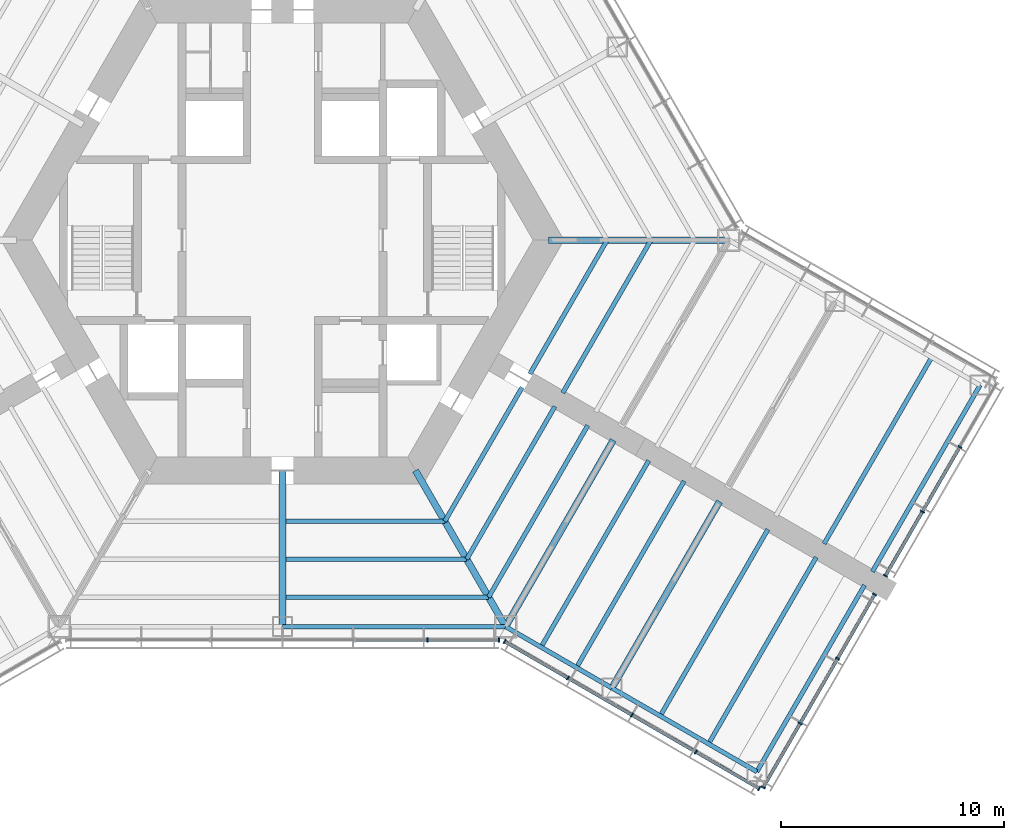
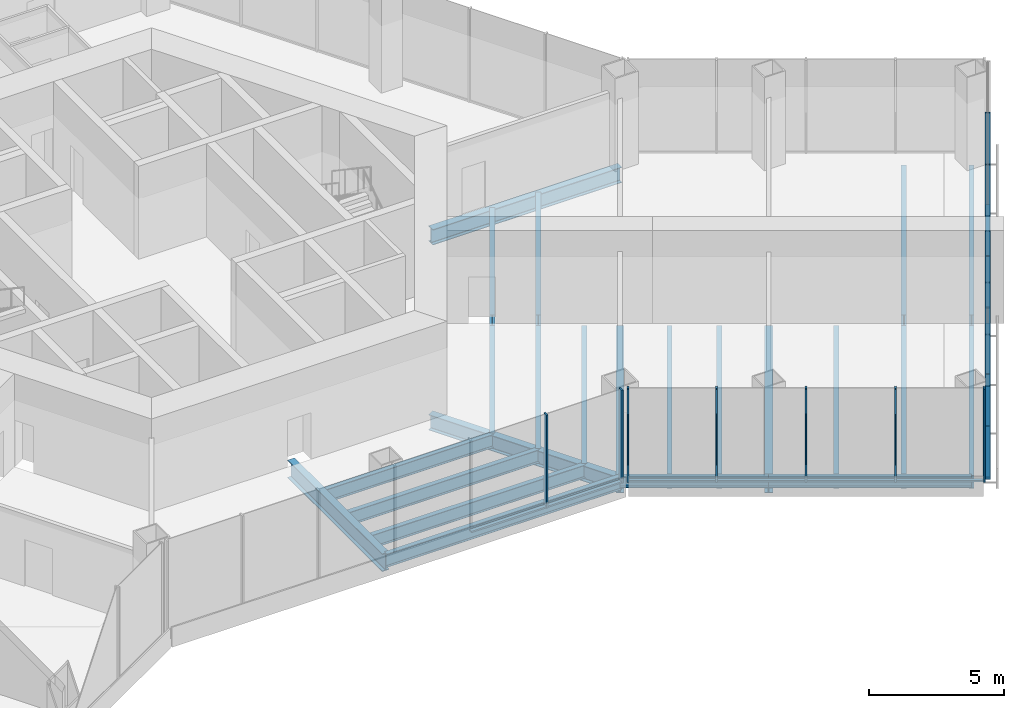
# One storey, part 4 of 15: 25 members, 23 beams, 4 elements without a shape of their own.
"""IFC4 building model written with IfcOpenShell, lengths in metres."""

import ifcopenshell
import ifcopenshell.guid

model = None  # the IFC model being written
_history = None  # IfcOwnerHistory: only IFC2X3 demands one
_inside = {}  # id of a spatial element -> (the spatial element, [elements in it])
_under = {}  # id of a project, library or spatial element -> (it, [spatial elements below it])
_declared = {}  # id of a project -> (the project, [libraries it declares])
_typed = {}  # id of a type object -> (the type object, [elements of that type])
_made_of = {}  # id of a material, layer set ... -> (it, [elements and type objects made of it])


def new_model(schema):
    """Start an empty IFC model of exactly this schema.

    Asked for "IFC4X3", IfcOpenShell would pick the latest addendum, in which some entities
    have other attributes; the version numbers below select the first issue.
    IFC2X3 requires an IfcOwnerHistory on every rooted entity: one is made here for all.
    """
    global model, _history
    if schema == "IFC4X3":
        model = ifcopenshell.file(schema_version=(4, 3, 0, 0))
    else:
        model = ifcopenshell.file(schema=schema)
    _inside.clear()
    _under.clear()
    _declared.clear()
    _typed.clear()
    _made_of.clear()
    _history = None
    if model.schema == "IFC2X3":
        org = make("IfcOrganization", Name="unknown")
        user = make(
            "IfcPersonAndOrganization",
            ThePerson=make("IfcPerson", FamilyName="unknown"),
            TheOrganization=org,
        )
        app = make(
            "IfcApplication",
            ApplicationDeveloper=org,
            Version="unknown",
            ApplicationFullName="unknown",
            ApplicationIdentifier="unknown",
        )
        _history = make(
            "IfcOwnerHistory",
            OwningUser=user,
            OwningApplication=app,
            ChangeAction="ADDED",
            CreationDate=0,
        )
    return model


def make(cls, **values):
    """One entity of the class cls with the attributes given. An attribute that is None is left unset."""
    return model.create_entity(
        cls, **{name: value for name, value in values.items() if value is not None}
    )


def rooted(cls, **values):
    """An entity with a GlobalId (a new one), such as an element, a storey or a relation."""
    return make(cls, GlobalId=ifcopenshell.guid.new(), OwnerHistory=_history, **values)


def si_unit(unit_type, name, prefix=None):
    """IfcSIUnit, for example si_unit("LENGTHUNIT", "METRE", prefix="MILLI")."""
    return make("IfcSIUnit", UnitType=unit_type, Prefix=prefix, Name=name)


def assignment(units):
    """IfcUnitAssignment: the units of a project."""
    return None if units is None else make("IfcUnitAssignment", Units=units)


def point(xyz):
    """IfcCartesianPoint."""
    return None if xyz is None else make("IfcCartesianPoint", Coordinates=xyz)


def direction(xyz):
    """IfcDirection."""
    return None if xyz is None else make("IfcDirection", DirectionRatios=xyz)


def frame(location, z_axis=None, x_axis=None):
    """IfcAxis2Placement3D, a coordinate frame: its origin and axes. An axis left out is left unset."""
    return make(
        "IfcAxis2Placement3D",
        Location=point(location),
        Axis=direction(z_axis),
        RefDirection=direction(x_axis),
    )


def frame_2d(location, x_axis=None):
    """IfcAxis2Placement2D, a coordinate frame in the plane: its origin and x axis."""
    return make(
        "IfcAxis2Placement2D", Location=point(location), RefDirection=direction(x_axis)
    )


def origin():
    """The frame at (0, 0, 0) with its axes left unset."""
    return frame((0.0, 0.0, 0.0))


def origin_2d():
    """The frame at (0, 0) in the plane with its x axis left unset."""
    return frame_2d((0.0, 0.0))


def place(relative_to, where):
    """IfcLocalPlacement: puts the frame where relative to a parent placement (None: the world)."""
    return make(
        "IfcLocalPlacement", PlacementRelTo=relative_to, RelativePlacement=where
    )


def context(
    kind, dimensions, precision=None, world=None, true_north=None, identifier=None
):
    """IfcGeometricRepresentationContext, for example the 3D "Model" context."""
    return make(
        "IfcGeometricRepresentationContext",
        ContextIdentifier=identifier,
        ContextType=kind,
        CoordinateSpaceDimension=dimensions,
        Precision=precision,
        WorldCoordinateSystem=world,
        TrueNorth=true_north,
    )


def subcontext(parent, identifier, kind, view, scale=None):
    """IfcGeometricRepresentationSubContext, for example "Body" below "Model"."""
    return make(
        "IfcGeometricRepresentationSubContext",
        ContextIdentifier=identifier,
        ContextType=kind,
        ParentContext=parent,
        TargetScale=scale,
        TargetView=view,
    )


def project(units=None, contexts=None):
    """IfcProject with its units and contexts."""
    return rooted(
        "IfcProject",
        Name="project",
        RepresentationContexts=contexts,
        UnitsInContext=assignment(units),
    )


def spatial(cls, under=None, at=None, **own):
    """A site, building, storey or space (cls), placed at a placement, below another one or the project."""
    s = rooted(cls, ObjectPlacement=at, **own)
    if under is not None:
        _under.setdefault(under.id(), (under, []))[1].append(s)
    return s


def profile(cls, at=None, kind="AREA", **sizes):
    """A parametric profile (cls). Its sizes go by their IFC names, for example OverallWidth=200.0."""
    return make(cls, ProfileType=kind, Position=at, **sizes)


def rectangle(**sizes):
    """IfcRectangleProfileDef."""
    return profile("IfcRectangleProfileDef", **sizes)


def i_section(**sizes):
    """IfcIShapeProfileDef."""
    return profile("IfcIShapeProfileDef", **sizes)


def extrude(swept, where, along, depth):
    """IfcExtrudedAreaSolid: the profile swept, set in the frame where, extruded along a direction by depth."""
    return make(
        "IfcExtrudedAreaSolid",
        SweptArea=swept,
        Position=where,
        ExtrudedDirection=direction(along),
        Depth=depth,
    )


def shape(context_of_items, identifier, shape_type, items):
    """IfcShapeRepresentation: the items that make up one representation, for example the "Body"."""
    return make(
        "IfcShapeRepresentation",
        ContextOfItems=context_of_items,
        RepresentationIdentifier=identifier,
        RepresentationType=shape_type,
        Items=items,
    )


def material(Name=None, Category=None):
    """IfcMaterial."""
    return make("IfcMaterial", Name=Name, Category=Category)


def material_profile(
    of_material, cross_section, Name=None, Category=None, Priority=None
):
    """IfcMaterialProfile: a cross section and its material."""
    return make(
        "IfcMaterialProfile",
        Name=Name,
        Material=of_material,
        Profile=cross_section,
        Priority=Priority,
        Category=Category,
    )


def profile_set(profiles, Name=None, composite=None):
    """IfcMaterialProfileSet."""
    return make(
        "IfcMaterialProfileSet",
        Name=Name,
        MaterialProfiles=profiles,
        CompositeProfile=composite,
    )


def made_of(thing, what):
    """Note that an element or type object is made of a material, layer set ...; save() writes the relation."""
    if what is not None:
        _made_of.setdefault(what.id(), (what, []))[1].append(thing)
    return thing


def type_object(cls, material=None, **own):
    """A type object (cls), such as IfcWallType, which elements share."""
    return made_of(rooted(cls, **own), material)


def element(
    cls,
    number,
    at=None,
    inside=None,
    cuts=None,
    type_object=None,
    material=None,
    context=None,
    identifier="Body",
    shape_type=None,
    held_by="IfcProductDefinitionShape",
    body=None,
    shapes=None,
    **own,
):
    """One element of the class cls, such as IfcWall. Its Tag is "e" and its number.

    at: its placement. inside: the storey or other place that contains it. cuts: it is an
    opening in that element (IfcRelVoidsElement). A single representation is given by context,
    identifier, shape_type and body (its items); several are given by shapes. held_by: the class
    of the entity that holds the representations. save() writes the other relations.
    """
    e = rooted(cls, Tag="e%d" % number, ObjectPlacement=at, **own)
    if body is not None:
        shapes = [shape(context, identifier, shape_type, body)]
    if shapes is not None:
        e.Representation = make(held_by, Representations=shapes)
    if inside is not None:
        _inside.setdefault(inside.id(), (inside, []))[1].append(e)
    if cuts is not None:
        rooted(
            "IfcRelVoidsElement", RelatingBuildingElement=cuts, RelatedOpeningElement=e
        )
    if type_object is not None:
        _typed.setdefault(type_object.id(), (type_object, []))[1].append(e)
    return made_of(e, material)


def aggregate(whole, parts):
    """IfcRelAggregates: a whole, such as a stair, and the parts it consists of."""
    return rooted("IfcRelAggregates", RelatingObject=whole, RelatedObjects=parts)


def save(model, path):
    """Write the relations noted so far, then the file.

    IfcRelAggregates (storeys below a building ...), IfcRelContainedInSpatialStructure (elements
    in a storey), IfcRelDefinesByType, IfcRelAssociatesMaterial and IfcRelDeclares: one each for
    every whole, place, type object, material and project.
    """
    for whole, parts in _under.values():
        aggregate(whole, parts)
    for where, things in _inside.values():
        rooted(
            "IfcRelContainedInSpatialStructure",
            RelatedElements=things,
            RelatingStructure=where,
        )
    for kind, things in _typed.values():
        rooted("IfcRelDefinesByType", RelatedObjects=things, RelatingType=kind)
    for what, things in _made_of.values():
        rooted("IfcRelAssociatesMaterial", RelatedObjects=things, RelatingMaterial=what)
    for by, libraries in _declared.values():
        rooted("IfcRelDeclares", RelatingContext=by, RelatedDefinitions=libraries)
    model.write(path)


model = new_model("IFC4")

# Units and contexts
model_context = context("Model", 3, precision=1e-05, world=origin(), true_north=direction((0.0, 1.0)))
body_context = subcontext(model_context, "Body", "Model", "MODEL_VIEW")
ifc_project = project(units=[si_unit("LENGTHUNIT", "METRE"), si_unit("AREAUNIT", "SQUARE_METRE"), si_unit("VOLUMEUNIT", "CUBIC_METRE"), si_unit("PLANEANGLEUNIT", "RADIAN"), si_unit("MASSUNIT", "GRAM", prefix="KILO")], contexts=[model_context])

# Site, building, storey
site_placement = place(None, origin())
site = spatial("IfcSite", under=ifc_project, at=site_placement, CompositionType="ELEMENT")
building_placement = place(site_placement, origin())
building = spatial("IfcBuilding", under=site, at=building_placement, Name="Kasaneha Research Tower", CompositionType="ELEMENT")
storey_placement = place(building_placement, frame((0.0, 0.0, 31.0)))
storey = spatial("IfcBuildingStorey", under=building, at=storey_placement, Name="L08", CompositionType="ELEMENT", Elevation=31.0)

# Beams
ifc_material_1 = material(Name="Steel SN490B", Category="steel")
ifc_material_profile_1 = material_profile(ifc_material_1, i_section(OverallWidth=0.199951171875, OverallDepth=0.60009765625, WebThickness=0.010986328125, FlangeThickness=0.01708984375, FilletRadius=0.012939453125, at=origin_2d()), Name="H-600x200x11x17")
ifc_profile_set_1 = profile_set([ifc_material_profile_1], Name="Steel SN490B")
beam_type_1 = type_object("IfcBeamType", Name="B1-2 secondary beam H-600x200x11x17", PredefinedType="JOIST", material=ifc_profile_set_1)
beam_1_placement = place(storey_placement, frame((7.274658203125, -12.60009765625, -0.469970703125), z_axis=(-1.0, 0.0, 0.0), x_axis=(0.0, -1.0, 0.0)))
element("IfcBeam", 1, at=beam_1_placement, inside=storey, type_object=beam_type_1, Name="Secondary beam RS270R1 L08", PredefinedType="JOIST", context=body_context, shape_type="SweptSolid", body=[
    extrude(i_section(OverallWidth=0.199951171875, OverallDepth=0.60009765625, WebThickness=0.010986328125, FlangeThickness=0.01708984375, FilletRadius=0.012939453125, at=origin_2d()), origin(), (0.0, 0.0, 1.0), 7.124755859375),
])
beam_2_placement = place(storey_placement, frame((8.256103515625, -14.300048828125, -0.469970703125), z_axis=(-1.0, 0.0, 0.0), x_axis=(0.0, -1.0, 0.0)))
element("IfcBeam", 2, at=beam_2_placement, inside=storey, type_object=beam_type_1, Name="Secondary beam RS270R2 L08", PredefinedType="JOIST", context=body_context, shape_type="SweptSolid", body=[
    extrude(i_section(OverallWidth=0.199951171875, OverallDepth=0.60009765625, WebThickness=0.010986328125, FlangeThickness=0.01708984375, FilletRadius=0.012939453125, at=origin_2d()), origin(), (0.0, 0.0, 1.0), 8.106201171875),
])
beam_3_placement = place(storey_placement, frame((9.237548828125, -16.0, -0.469970703125), z_axis=(-1.0, 0.0, 0.0), x_axis=(0.0, -1.0, 0.0)))
element("IfcBeam", 3, at=beam_3_placement, inside=storey, type_object=beam_type_1, Name="Secondary beam RS270R3 L08", PredefinedType="JOIST", context=body_context, shape_type="SweptSolid", body=[
    extrude(i_section(OverallWidth=0.199951171875, OverallDepth=0.60009765625, WebThickness=0.010986328125, FlangeThickness=0.01708984375, FilletRadius=0.012939453125, at=origin_2d()), origin(), (0.0, 0.0, 1.0), 9.087646484375),
])
beam_4_placement = place(storey_placement, frame((7.274658203125, -12.60009765625, -0.469970703125), z_axis=(0.499972710878, 0.866041158593, 0.0), x_axis=(-0.866041158593, 0.499972710878, 0.0)))
element("IfcBeam", 4, at=beam_4_placement, inside=storey, type_object=beam_type_1, Name="Secondary beam RS330L1 L08", PredefinedType="JOIST", context=body_context, shape_type="SweptSolid", body=[
    extrude(i_section(OverallWidth=0.199951171875, OverallDepth=0.60009765625, WebThickness=0.010986328125, FlangeThickness=0.01708984375, FilletRadius=0.012939453125, at=origin_2d()), origin(), (0.0, 0.0, 1.0), 6.9248046875),
])
beam_5_placement = place(storey_placement, frame((8.256103515625, -14.300048828125, -0.469970703125), z_axis=(0.500004902938, 0.866022573054, 0.0), x_axis=(-0.866022573054, 0.500004902938, 0.0)))
element("IfcBeam", 5, at=beam_5_placement, inside=storey, type_object=beam_type_1, Name="Secondary beam RS330L2 L08", PredefinedType="JOIST", context=body_context, shape_type="SweptSolid", body=[
    extrude(i_section(OverallWidth=0.199951171875, OverallDepth=0.60009765625, WebThickness=0.010986328125, FlangeThickness=0.01708984375, FilletRadius=0.012939453125, at=origin_2d()), origin(), (0.0, 0.0, 1.0), 7.90625),
])
beam_6_placement = place(storey_placement, frame((9.237548828125, -16.0, -0.469970703125), z_axis=(0.500009382636, 0.866019986649, 0.0), x_axis=(-0.866019986649, 0.500009382636, 0.0)))
element("IfcBeam", 6, at=beam_6_placement, inside=storey, type_object=beam_type_1, Name="Secondary beam RS330L3 L08", PredefinedType="JOIST", context=body_context, shape_type="SweptSolid", body=[
    extrude(i_section(OverallWidth=0.199951171875, OverallDepth=0.60009765625, WebThickness=0.010986328125, FlangeThickness=0.01708984375, FilletRadius=0.012939453125, at=origin_2d()), origin(), (0.0, 0.0, 1.0), 8.887451171875),
])
beam_7_placement = place(storey_placement, frame((14.54931640625, 0.0, -0.469970703125), z_axis=(-0.500014420154, -0.866017078145, 0.0), x_axis=(0.866017078145, -0.500014420154, 0.0)))
element("IfcBeam", 7, at=beam_7_placement, inside=storey, type_object=beam_type_1, Name="Secondary beam RS330R1 L08", PredefinedType="JOIST", context=body_context, shape_type="SweptSolid", body=[
    extrude(i_section(OverallWidth=0.199951171875, OverallDepth=0.60009765625, WebThickness=0.010986328125, FlangeThickness=0.01708984375, FilletRadius=0.012939453125, at=origin_2d()), origin(), (0.0, 0.0, 1.0), 6.924560546875),
])
beam_8_placement = place(storey_placement, frame((16.51220703125, 0.0, -0.469970703125), z_axis=(-0.500004902938, -0.866022573054, 0.0), x_axis=(0.866022573054, -0.500004902938, 0.0)))
element("IfcBeam", 8, at=beam_8_placement, inside=storey, type_object=beam_type_1, Name="Secondary beam RS330R2 L08", PredefinedType="JOIST", context=body_context, shape_type="SweptSolid", body=[
    extrude(i_section(OverallWidth=0.199951171875, OverallDepth=0.60009765625, WebThickness=0.010986328125, FlangeThickness=0.01708984375, FilletRadius=0.012939453125, at=origin_2d()), origin(), (0.0, 0.0, 1.0), 7.90625),
])
ifc_material_2 = material(Name="Steel SN490B", Category="steel")
ifc_material_profile_2 = material_profile(ifc_material_2, i_section(OverallWidth=0.198974609375, OverallDepth=0.595947265625, WebThickness=0.010009765625, FlangeThickness=0.014892578125, FilletRadius=0.012939453125, at=origin_2d()), Name="H-596x199x10x15")
ifc_profile_set_2 = profile_set([ifc_material_profile_2], Name="Steel SN490B")
beam_type_2 = type_object("IfcBeamType", Name="B2-2 secondary beam H-596x199x10x15", PredefinedType="JOIST", material=ifc_profile_set_2)
for number, where, z_axis, x_axis, name in (
    (9, (11.587646484375, -18.237060546875, -0.468017578125), (0.50000569793, 0.866022114058, 0.0), (-0.866022114058, 0.50000569793, 0.0), "Secondary beam WBCP1 L08"),
    (10, (13.175537109375, -19.15380859375, -0.468017578125), (0.499994742786, 0.866028439017, 0.0), (-0.866028439017, 0.499994742786, 0.0), "Secondary beam WBCP2 L08"),
    (11, (16.92822265625, -21.320556640625, -0.468017578125), (0.499994742786, 0.866028439017, 0.0), (-0.866028439017, 0.499994742786, 0.0), "Secondary beam WBCP3 L08"),
    (12, (19.09326171875, -22.570556640625, -0.468017578125), (0.499994742786, 0.866028439017, 0.0), (-0.866028439017, 0.499994742786, 0.0), "Secondary beam WBCP4 L08"),
    (13, (29.09326171875, -5.25, -0.468017578125), (-0.499994742786, -0.866028439017, 0.0), (0.866028439017, -0.499994742786, 0.0), "Secondary beam WBCN4 L08"),
):
    element("IfcBeam", number, at=place(storey_placement, frame(where, z_axis=z_axis, x_axis=x_axis)), inside=storey, type_object=beam_type_2, Name=name, PredefinedType="JOIST", context=body_context, shape_type="SweptSolid", body=[
        extrude(i_section(OverallWidth=0.198974609375, OverallDepth=0.595947265625, WebThickness=0.010009765625, FlangeThickness=0.014892578125, FilletRadius=0.012939453125, at=origin_2d()), origin(), (0.0, 0.0, 1.0), 9.64990234375),
    ])

# Curtain wall, members
ifc_material_3 = material(Name="Glass and aluminium", Category="aluminium")
curtain_wall_type = type_object("IfcCurtainWallType", Name="Dry laboratory curtain wall", PredefinedType="USERDEFINED", material=ifc_material_3)
curtain_wall_1_placement = place(storey_placement, origin())
curtain_wall_1 = element("IfcCurtainWall", 14, at=curtain_wall_1_placement, inside=storey, type_object=curtain_wall_type, Name="CW-L2 L08 run 02a", ObjectType="UNITISED CURTAIN WALL", PredefinedType="USERDEFINED")
ifc_material_4 = material(Name="Aluminium 6063-T6", Category="aluminium")
ifc_material_profile_3 = material_profile(ifc_material_4, rectangle(XDim=0.06494140625, YDim=0.199951171875, at=origin_2d()), Name="CW-L2 mullion 65x200")
ifc_profile_set_3 = profile_set([ifc_material_profile_3], Name="Aluminium 6063-T6")
member_type_1 = type_object("IfcMemberType", Name="CW-L2 mullion", PredefinedType="MULLION", material=ifc_profile_set_3)
member_1_placement = place(storey_placement, frame((6.492919921875, -17.92041015625, 0.0), z_axis=(0.0, 0.0, 1.0), x_axis=(1.0, 0.0, 0.0)))
member_1 = element("IfcMember", 15, at=member_1_placement, type_object=member_type_1, Name="CW-L2 mullion 6", PredefinedType="MULLION", context=body_context, shape_type="SweptSolid", body=[
    extrude(rectangle(XDim=0.06494140625, YDim=0.199951171875, at=origin_2d()), origin(), (0.0, 0.0, 1.0), 4.199951171875),
])
member_2_placement = place(storey_placement, frame((9.706787109375, -17.92041015625, 0.0), z_axis=(0.0, 0.0, 1.0), x_axis=(1.0, 0.0, 0.0)))
member_2 = element("IfcMember", 16, at=member_2_placement, type_object=member_type_1, Name="CW-L2 mullion 7", PredefinedType="MULLION", context=body_context, shape_type="SweptSolid", body=[
    extrude(rectangle(XDim=0.06494140625, YDim=0.199951171875, at=origin_2d()), origin(), (0.0, 0.0, 1.0), 4.199951171875),
])

curtain_wall_2_placement = place(storey_placement, origin())
curtain_wall_2 = element("IfcCurtainWall", 17, at=curtain_wall_2_placement, inside=storey, type_object=curtain_wall_type, Name="CW-L2 L08 run 03a", ObjectType="UNITISED CURTAIN WALL", PredefinedType="USERDEFINED")
member_3_placement = place(storey_placement, frame((9.953857421875, -17.98681640625, 0.0), z_axis=(0.0, 0.0, 1.0), x_axis=(0.866025411464, -0.499999986699, 0.0)))
member_3 = element("IfcMember", 18, at=member_3_placement, type_object=member_type_1, Name="CW-L2 mullion 1", PredefinedType="MULLION", context=body_context, shape_type="SweptSolid", body=[
    extrude(rectangle(XDim=0.06494140625, YDim=0.199951171875, at=origin_2d()), origin(), (0.0, 0.0, 1.0), 4.199951171875),
])
member_4_placement = place(storey_placement, frame((12.792236328125, -19.62548828125, 0.0), z_axis=(0.0, 0.0, 1.0), x_axis=(0.866025411464, -0.499999986699, 0.0)))
member_4 = element("IfcMember", 19, at=member_4_placement, type_object=member_type_1, Name="CW-L2 mullion 2", PredefinedType="MULLION", context=body_context, shape_type="SweptSolid", body=[
    extrude(rectangle(XDim=0.06494140625, YDim=0.199951171875, at=origin_2d()), origin(), (0.0, 0.0, 1.0), 4.199951171875),
])
member_5_placement = place(storey_placement, frame((15.65869140625, -21.2802734375, 0.0), z_axis=(0.0, 0.0, 1.0), x_axis=(0.866025411464, -0.499999986699, 0.0)))
member_5 = element("IfcMember", 20, at=member_5_placement, type_object=member_type_1, Name="CW-L2 mullion 3", PredefinedType="MULLION", context=body_context, shape_type="SweptSolid", body=[
    extrude(rectangle(XDim=0.06494140625, YDim=0.199951171875, at=origin_2d()), origin(), (0.0, 0.0, 1.0), 4.199951171875),
])
member_6_placement = place(storey_placement, frame((18.52490234375, -22.935302734375, 0.0), z_axis=(0.0, 0.0, 1.0), x_axis=(0.866025411464, -0.499999986699, 0.0)))
member_6 = element("IfcMember", 21, at=member_6_placement, type_object=member_type_1, Name="CW-L2 mullion 4", PredefinedType="MULLION", context=body_context, shape_type="SweptSolid", body=[
    extrude(rectangle(XDim=0.06494140625, YDim=0.199951171875, at=origin_2d()), origin(), (0.0, 0.0, 1.0), 4.199951171875),
])
member_7_placement = place(storey_placement, frame((21.36328125, -24.573974609375, 0.0), z_axis=(0.0, 0.0, 1.0), x_axis=(0.866025411464, -0.499999986699, 0.0)))
member_7 = element("IfcMember", 22, at=member_7_placement, type_object=member_type_1, Name="CW-L2 mullion 5", PredefinedType="MULLION", context=body_context, shape_type="SweptSolid", body=[
    extrude(rectangle(XDim=0.06494140625, YDim=0.199951171875, at=origin_2d()), origin(), (0.0, 0.0, 1.0), 4.199951171875),
])

curtain_wall_3_placement = place(storey_placement, origin())
curtain_wall_3 = element("IfcCurtainWall", 23, at=curtain_wall_3_placement, inside=storey, type_object=curtain_wall_type, Name="CW-L2 L08 run 04a", ObjectType="UNITISED CURTAIN WALL", PredefinedType="USERDEFINED")
member_8_placement = place(storey_placement, frame((21.544189453125, -24.525390625, 0.0), z_axis=(0.0, 0.0, 1.0), x_axis=(0.500000011442, 0.866025397178, 0.0)))
member_8 = element("IfcMember", 24, at=member_8_placement, type_object=member_type_1, Name="CW-L2 mullion 1", PredefinedType="MULLION", context=body_context, shape_type="SweptSolid", body=[
    extrude(rectangle(XDim=0.06494140625, YDim=0.199951171875, at=origin_2d()), origin(), (0.0, 0.0, 1.0), 4.199951171875),
])
member_9_placement = place(storey_placement, frame((23.202880859375, -21.65234375, 0.0), z_axis=(0.0, 0.0, 1.0), x_axis=(0.500000011442, 0.866025397178, 0.0)))
member_9 = element("IfcMember", 25, at=member_9_placement, type_object=member_type_1, Name="CW-L2 mullion 2", PredefinedType="MULLION", context=body_context, shape_type="SweptSolid", body=[
    extrude(rectangle(XDim=0.06494140625, YDim=0.199951171875, at=origin_2d()), origin(), (0.0, 0.0, 1.0), 4.199951171875),
])
member_10_placement = place(storey_placement, frame((24.8779296875, -18.751220703125, 0.0), z_axis=(0.0, 0.0, 1.0), x_axis=(0.500000011442, 0.866025397178, 0.0)))
member_10 = element("IfcMember", 26, at=member_10_placement, type_object=member_type_1, Name="CW-L2 mullion 3", PredefinedType="MULLION", context=body_context, shape_type="SweptSolid", body=[
    extrude(rectangle(XDim=0.06494140625, YDim=0.199951171875, at=origin_2d()), origin(), (0.0, 0.0, 1.0), 4.199951171875),
])
member_11_placement = place(storey_placement, frame((26.53662109375, -15.878173828125, 0.0), z_axis=(0.0, 0.0, 1.0), x_axis=(0.500000011442, 0.866025397178, 0.0)))
member_11 = element("IfcMember", 27, at=member_11_placement, type_object=member_type_1, Name="CW-L2 mullion 4", PredefinedType="MULLION", context=body_context, shape_type="SweptSolid", body=[
    extrude(rectangle(XDim=0.06494140625, YDim=0.199951171875, at=origin_2d()), origin(), (0.0, 0.0, 1.0), 4.199951171875),
])

curtain_wall_4_placement = place(storey_placement, origin())
curtain_wall_4 = element("IfcCurtainWall", 28, at=curtain_wall_4_placement, inside=storey, type_object=curtain_wall_type, Name="CW-L2 L08 run 05a", ObjectType="UNITISED CURTAIN WALL", PredefinedType="USERDEFINED")
member_12_placement = place(storey_placement, frame((27.019287109375, -15.04248046875, 0.0), z_axis=(0.0, 0.0, 1.0), x_axis=(0.500000011442, 0.866025397178, 0.0)))
member_12 = element("IfcMember", 29, at=member_12_placement, type_object=member_type_1, Name="CW-L2 mullion 1", PredefinedType="MULLION", context=body_context, shape_type="SweptSolid", body=[
    extrude(rectangle(XDim=0.06494140625, YDim=0.199951171875, at=origin_2d()), origin(), (0.0, 0.0, 1.0), 4.199951171875),
])
member_13_placement = place(storey_placement, frame((28.677978515625, -12.16943359375, 0.0), z_axis=(0.0, 0.0, 1.0), x_axis=(0.500000011442, 0.866025397178, 0.0)))
member_13 = element("IfcMember", 30, at=member_13_placement, type_object=member_type_1, Name="CW-L2 mullion 2", PredefinedType="MULLION", context=body_context, shape_type="SweptSolid", body=[
    extrude(rectangle(XDim=0.06494140625, YDim=0.199951171875, at=origin_2d()), origin(), (0.0, 0.0, 1.0), 4.199951171875),
])
member_14_placement = place(storey_placement, frame((30.35302734375, -9.26806640625, 0.0), z_axis=(0.0, 0.0, 1.0), x_axis=(0.500000011442, 0.866025397178, 0.0)))
member_14 = element("IfcMember", 31, at=member_14_placement, type_object=member_type_1, Name="CW-L2 mullion 3", PredefinedType="MULLION", context=body_context, shape_type="SweptSolid", body=[
    extrude(rectangle(XDim=0.06494140625, YDim=0.199951171875, at=origin_2d()), origin(), (0.0, 0.0, 1.0), 4.199951171875),
])

# Member
ifc_material_5 = material(Name="Aluminium 6063-T6", Category="aluminium")
ifc_material_profile_4 = material_profile(ifc_material_5, rectangle(XDim=0.14990234375, YDim=0.06494140625, at=origin_2d()), Name="CW-L2 transom 150x65")
ifc_profile_set_4 = profile_set([ifc_material_profile_4], Name="Aluminium 6063-T6")
member_type_2 = type_object("IfcMemberType", Name="CW-L2 transom", PredefinedType="USERDEFINED", material=ifc_profile_set_4)
member_15_placement = place(storey_placement, frame((3.27880859375, -17.92041015625, 0.032470703125), z_axis=(1.0, 0.0, 0.0), x_axis=(0.0, 1.0, 0.0)))
member_15 = element("IfcMember", 32, at=member_15_placement, type_object=member_type_2, Name="CW-L2 transom 5", ObjectType="TRANSOM", PredefinedType="USERDEFINED", context=body_context, shape_type="SweptSolid", body=[
    extrude(rectangle(XDim=0.14990234375, YDim=0.06494140625, at=origin_2d()), origin(), (0.0, 0.0, 1.0), 3.181396484375),
])

member_16_placement = place(storey_placement, frame((6.525390625, -17.92041015625, 0.032470703125), z_axis=(1.0, 0.0, 0.0), x_axis=(0.0, 1.0, 0.0)))
member_16 = element("IfcMember", 33, at=member_16_placement, type_object=member_type_2, Name="CW-L2 transom 6", ObjectType="TRANSOM", PredefinedType="USERDEFINED", context=body_context, shape_type="SweptSolid", body=[
    extrude(rectangle(XDim=0.14990234375, YDim=0.06494140625, at=origin_2d()), origin(), (0.0, 0.0, 1.0), 3.14892578125),
])

aggregate(curtain_wall_1, [member_1, member_2, member_15, member_16])

member_17_placement = place(storey_placement, frame((9.982177734375, -18.0029296875, 0.032470703125), z_axis=(0.866022320763, -0.500005339912, 0.0), x_axis=(0.500005339912, 0.866022320763, 0.0)))
member_17 = element("IfcMember", 34, at=member_17_placement, type_object=member_type_2, Name="CW-L2 transom 1", ObjectType="TRANSOM", PredefinedType="USERDEFINED", context=body_context, shape_type="SweptSolid", body=[
    extrude(rectangle(XDim=0.14990234375, YDim=0.06494140625, at=origin_2d()), origin(), (0.0, 0.0, 1.0), 3.21240234375),
])

member_18_placement = place(storey_placement, frame((12.8203125, -19.6416015625, 0.032470703125), z_axis=(0.866002649306, -0.500039409842, 0.0), x_axis=(0.500039409842, 0.866002649306, 0.0)))
member_18 = element("IfcMember", 35, at=member_18_placement, type_object=member_type_2, Name="CW-L2 transom 2", ObjectType="TRANSOM", PredefinedType="USERDEFINED", context=body_context, shape_type="SweptSolid", body=[
    extrude(rectangle(XDim=0.14990234375, YDim=0.06494140625, at=origin_2d()), origin(), (0.0, 0.0, 1.0), 3.244873046875),
])

member_19_placement = place(storey_placement, frame((15.686767578125, -21.296630859375, 0.032470703125), z_axis=(0.866035229914, -0.499982980259, 0.0), x_axis=(0.499982980259, 0.866035229914, 0.0)))
member_19 = element("IfcMember", 36, at=member_19_placement, type_object=member_type_2, Name="CW-L2 transom 3", ObjectType="TRANSOM", PredefinedType="USERDEFINED", context=body_context, shape_type="SweptSolid", body=[
    extrude(rectangle(XDim=0.14990234375, YDim=0.06494140625, at=origin_2d()), origin(), (0.0, 0.0, 1.0), 3.24462890625),
])

member_20_placement = place(storey_placement, frame((18.55322265625, -22.951416015625, 0.032470703125), z_axis=(0.86600331843, -0.500038251005, 0.0), x_axis=(0.500038251005, 0.86600331843, 0.0)))
member_20 = element("IfcMember", 37, at=member_20_placement, type_object=member_type_2, Name="CW-L2 transom 4", ObjectType="TRANSOM", PredefinedType="USERDEFINED", context=body_context, shape_type="SweptSolid", body=[
    extrude(rectangle(XDim=0.14990234375, YDim=0.06494140625, at=origin_2d()), origin(), (0.0, 0.0, 1.0), 3.212158203125),
])

aggregate(curtain_wall_2, [member_3, member_4, member_5, member_6, member_7, member_17, member_18, member_19, member_20])

member_21_placement = place(storey_placement, frame((21.560546875, -24.497314453125, 0.032470703125), z_axis=(0.499973687205, 0.866040594951, 0.0), x_axis=(-0.866040594951, 0.499973687205, 0.0)))
member_21 = element("IfcMember", 38, at=member_21_placement, type_object=member_type_2, Name="CW-L2 transom 1", ObjectType="TRANSOM", PredefinedType="USERDEFINED", context=body_context, shape_type="SweptSolid", body=[
    extrude(rectangle(XDim=0.14990234375, YDim=0.06494140625, at=origin_2d()), origin(), (0.0, 0.0, 1.0), 3.252685546875),
])

member_22_placement = place(storey_placement, frame((23.21923828125, -21.624267578125, 0.032470703125), z_axis=(0.50000765355, 0.86602098496, 0.0), x_axis=(-0.86602098496, 0.50000765355, 0.0)))
member_22 = element("IfcMember", 39, at=member_22_placement, type_object=member_type_2, Name="CW-L2 transom 2", ObjectType="TRANSOM", PredefinedType="USERDEFINED", context=body_context, shape_type="SweptSolid", body=[
    extrude(rectangle(XDim=0.14990234375, YDim=0.06494140625, at=origin_2d()), origin(), (0.0, 0.0, 1.0), 3.28515625),
])

member_23_placement = place(storey_placement, frame((24.894287109375, -18.722900390625, 0.032470703125), z_axis=(0.500006189695, 0.866021830133, 0.0), x_axis=(-0.866021830133, 0.500006189695, 0.0)))
member_23 = element("IfcMember", 40, at=member_23_placement, type_object=member_type_2, Name="CW-L2 transom 3", ObjectType="TRANSOM", PredefinedType="USERDEFINED", context=body_context, shape_type="SweptSolid", body=[
    extrude(rectangle(XDim=0.14990234375, YDim=0.06494140625, at=origin_2d()), origin(), (0.0, 0.0, 1.0), 3.25244140625),
])

aggregate(curtain_wall_3, [member_8, member_9, member_10, member_11, member_21, member_22, member_23])

member_24_placement = place(storey_placement, frame((27.035400390625, -15.01416015625, 0.032470703125), z_axis=(0.500006189695, 0.866021830133, 0.0), x_axis=(-0.866021830133, 0.500006189695, 0.0)))
member_24 = element("IfcMember", 41, at=member_24_placement, type_object=member_type_2, Name="CW-L2 transom 1", ObjectType="TRANSOM", PredefinedType="USERDEFINED", context=body_context, shape_type="SweptSolid", body=[
    extrude(rectangle(XDim=0.14990234375, YDim=0.06494140625, at=origin_2d()), origin(), (0.0, 0.0, 1.0), 3.25244140625),
])

member_25_placement = place(storey_placement, frame((28.694091796875, -12.14111328125, 0.032470703125), z_axis=(0.500039835994, 0.866002403241, 0.0), x_axis=(-0.866002403241, 0.500039835994, 0.0)))
member_25 = element("IfcMember", 42, at=member_25_placement, type_object=member_type_2, Name="CW-L2 transom 2", ObjectType="TRANSOM", PredefinedType="USERDEFINED", context=body_context, shape_type="SweptSolid", body=[
    extrude(rectangle(XDim=0.14990234375, YDim=0.06494140625, at=origin_2d()), origin(), (0.0, 0.0, 1.0), 3.284912109375),
])

aggregate(curtain_wall_4, [member_12, member_13, member_14, member_24, member_25])

# Beams
ifc_material_6 = material(Name="Steel SN490B", Category="steel")
ifc_material_profile_5 = material_profile(ifc_material_6, i_section(OverallWidth=0.300048828125, OverallDepth=0.699951171875, WebThickness=0.012939453125, FlangeThickness=0.02392578125, FilletRadius=0.01806640625, at=origin_2d()), Name="H-700x300x13x24")
ifc_profile_set_5 = profile_set([ifc_material_profile_5], Name="Steel SN490B")
beam_type_3 = type_object("IfcBeamType", Name="G1-2 radial girder H-700x300x13x24", PredefinedType="BEAM", material=ifc_profile_set_5)
beam_9_placement = place(storey_placement, frame((11.92236328125, 0.0, -0.52001953125), z_axis=(1.0, 0.0, 0.0), x_axis=(0.0, 1.0, 0.0)))
element("IfcBeam", 43, at=beam_9_placement, inside=storey, type_object=beam_type_3, Name="Radial girder RV000 L08", PredefinedType="BEAM", context=body_context, shape_type="SweptSolid", body=[
    extrude(i_section(OverallWidth=0.300048828125, OverallDepth=0.699951171875, WebThickness=0.012939453125, FlangeThickness=0.02392578125, FilletRadius=0.01806640625, at=origin_2d()), origin(), (0.0, 0.0, 1.0), 8.07763671875),
])
beam_10_placement = place(storey_placement, frame((5.961181640625, -10.324951171875, -0.52001953125), z_axis=(0.49999105496, -0.866030568144, 0.0), x_axis=(0.866030568144, 0.49999105496, 0.0)))
element("IfcBeam", 44, at=beam_10_placement, inside=storey, type_object=beam_type_3, Name="Radial girder RV300 L08", PredefinedType="BEAM", context=body_context, shape_type="SweptSolid", body=[
    extrude(i_section(OverallWidth=0.300048828125, OverallDepth=0.699951171875, WebThickness=0.012939453125, FlangeThickness=0.02392578125, FilletRadius=0.01806640625, at=origin_2d()), origin(), (0.0, 0.0, 1.0), 8.077880859375),
])
ifc_material_7 = material(Name="Steel SN490B", Category="steel")
ifc_material_profile_6 = material_profile(ifc_material_7, i_section(OverallWidth=0.300048828125, OverallDepth=0.800048828125, WebThickness=0.013916015625, FlangeThickness=0.02587890625, FilletRadius=0.01806640625, at=origin_2d()), Name="H-800x300x14x26")
ifc_profile_set_6 = profile_set([ifc_material_profile_6], Name="Steel SN490B")
beam_type_4 = type_object("IfcBeamType", Name="G2-2 radial girder H-800x300x14x26", PredefinedType="BEAM", material=ifc_profile_set_6)
beam_11_placement = place(storey_placement, frame((0.0, -10.324951171875, -0.570068359375), z_axis=(0.0, -1.0, 0.0), x_axis=(1.0, 0.0, 0.0)))
element("IfcBeam", 45, at=beam_11_placement, inside=storey, type_object=beam_type_4, Name="Radial girder RM270 L08", PredefinedType="BEAM", context=body_context, shape_type="SweptSolid", body=[
    extrude(i_section(OverallWidth=0.300048828125, OverallDepth=0.800048828125, WebThickness=0.013916015625, FlangeThickness=0.02587890625, FilletRadius=0.01806640625, at=origin_2d()), origin(), (0.0, 0.0, 1.0), 6.99560546875),
])
ifc_material_8 = material(Name="Steel SN490B", Category="steel")
ifc_material_profile_7 = material_profile(ifc_material_8, i_section(OverallWidth=0.300048828125, OverallDepth=0.7919921875, WebThickness=0.013916015625, FlangeThickness=0.02197265625, FilletRadius=0.01806640625, at=origin_2d()), Name="H-792x300x14x22")
ifc_profile_set_7 = profile_set([ifc_material_profile_7], Name="Steel SN490B")
beam_type_5 = type_object("IfcBeamType", Name="G3-2 plate edge girder H-792x300x14x22", PredefinedType="BEAM", material=ifc_profile_set_7)
beam_12_placement = place(storey_placement, frame((10.0, -17.320556640625, -0.56591796875), z_axis=(0.499994742786, 0.866028439017, 0.0), x_axis=(-0.866028439017, 0.499994742786, 0.0)))
element("IfcBeam", 46, at=beam_12_placement, inside=storey, type_object=beam_type_5, Name="Plate edge girder PECP L08", PredefinedType="BEAM", context=body_context, shape_type="SweptSolid", body=[
    extrude(i_section(OverallWidth=0.300048828125, OverallDepth=0.7919921875, WebThickness=0.013916015625, FlangeThickness=0.02197265625, FilletRadius=0.01806640625, at=origin_2d()), origin(), (0.0, 0.0, 1.0), 9.64990234375),
])
ifc_material_9 = material(Name="Steel SN490B", Category="steel")
ifc_material_profile_8 = material_profile(ifc_material_9, i_section(OverallWidth=0.300048828125, OverallDepth=0.800048828125, WebThickness=0.013916015625, FlangeThickness=0.02587890625, FilletRadius=0.01806640625, at=origin_2d()), Name="H-800x300x14x26")
ifc_profile_set_8 = profile_set([ifc_material_profile_8], Name="Steel SN490B")
beam_type_6 = type_object("IfcBeamType", Name="G4-2 wing girder H-800x300x14x26", PredefinedType="BEAM", material=ifc_profile_set_8)
beam_13_placement = place(storey_placement, frame((14.76318359375, -20.070556640625, -0.570068359375), z_axis=(0.499994742786, 0.866028439017, 0.0), x_axis=(-0.866028439017, 0.499994742786, 0.0)))
element("IfcBeam", 47, at=beam_13_placement, inside=storey, type_object=beam_type_6, Name="Wing girder WGCP L08", PredefinedType="BEAM", context=body_context, shape_type="SweptSolid", body=[
    extrude(i_section(OverallWidth=0.300048828125, OverallDepth=0.800048828125, WebThickness=0.013916015625, FlangeThickness=0.02587890625, FilletRadius=0.01806640625, at=origin_2d()), origin(), (0.0, 0.0, 1.0), 9.64990234375),
])
ifc_material_10 = material(Name="Steel SN490B", Category="steel")
ifc_material_profile_9 = material_profile(ifc_material_10, i_section(OverallWidth=0.199951171875, OverallDepth=0.60009765625, WebThickness=0.010986328125, FlangeThickness=0.01708984375, FilletRadius=0.012939453125, at=origin_2d()), Name="H-600x200x11x17")
ifc_profile_set_9 = profile_set([ifc_material_profile_9], Name="Steel SN490B")
beam_type_7 = type_object("IfcBeamType", Name="SB1-2 spandrel beam H-600x200x11x17", PredefinedType="SPANDREL", material=ifc_profile_set_9)
beam_14_placement = place(storey_placement, frame((10.0, -17.320556640625, -0.469970703125), z_axis=(-1.0, 0.0, 0.0), x_axis=(0.0, -1.0, 0.0)))
element("IfcBeam", 48, at=beam_14_placement, inside=storey, type_object=beam_type_7, Name="Spandrel beam SR270R L08", PredefinedType="SPANDREL", context=body_context, shape_type="SweptSolid", body=[
    extrude(i_section(OverallWidth=0.199951171875, OverallDepth=0.60009765625, WebThickness=0.010986328125, FlangeThickness=0.01708984375, FilletRadius=0.012939453125, at=origin_2d()), origin(), (0.0, 0.0, 1.0), 10.0),
])
ifc_material_11 = material(Name="Steel SN490B", Category="steel")
ifc_material_profile_10 = material_profile(ifc_material_11, i_section(OverallWidth=0.199951171875, OverallDepth=0.5, WebThickness=0.010009765625, FlangeThickness=0.01611328125, FilletRadius=0.012939453125, at=origin_2d()), Name="H-500x200x10x16")
ifc_profile_set_10 = profile_set([ifc_material_profile_10], Name="Steel SN490B")
beam_type_8 = type_object("IfcBeamType", Name="SB2-2 spandrel beam H-500x200x10x16", PredefinedType="SPANDREL", material=ifc_profile_set_10)
beam_15_placement = place(storey_placement, frame((10.0, -17.320556640625, -0.419921875), z_axis=(0.866027397988, -0.499996545922, 0.0), x_axis=(0.499996545922, 0.866027397988, 0.0)))
element("IfcBeam", 49, at=beam_15_placement, inside=storey, type_object=beam_type_8, Name="Spandrel beam WSCP1 L08", PredefinedType="SPANDREL", context=body_context, shape_type="SweptSolid", body=[
    extrude(i_section(OverallWidth=0.199951171875, OverallDepth=0.5, WebThickness=0.010009765625, FlangeThickness=0.01611328125, FilletRadius=0.012939453125, at=origin_2d()), origin(), (0.0, 0.0, 1.0), 5.5),
])
beam_16_placement = place(storey_placement, frame((14.76318359375, -20.070556640625, -0.419921875), z_axis=(0.866022959057, -0.500004234368, 0.0), x_axis=(0.500004234368, 0.866022959057, 0.0)))
element("IfcBeam", 50, at=beam_16_placement, inside=storey, type_object=beam_type_8, Name="Spandrel beam WSCP2 L08", PredefinedType="SPANDREL", context=body_context, shape_type="SweptSolid", body=[
    extrude(i_section(OverallWidth=0.199951171875, OverallDepth=0.5, WebThickness=0.010009765625, FlangeThickness=0.01611328125, FilletRadius=0.012939453125, at=origin_2d()), origin(), (0.0, 0.0, 1.0), 7.5),
])
ifc_material_12 = material(Name="Steel SN490B", Category="steel")
ifc_material_profile_11 = material_profile(ifc_material_12, i_section(OverallWidth=0.199951171875, OverallDepth=0.60009765625, WebThickness=0.010986328125, FlangeThickness=0.01708984375, FilletRadius=0.012939453125, at=origin_2d()), Name="H-600x200x11x17")
ifc_profile_set_11 = profile_set([ifc_material_profile_11], Name="Steel SN490B")
beam_type_9 = type_object("IfcBeamType", Name="SB3-2 spandrel beam H-600x200x11x17", PredefinedType="SPANDREL", material=ifc_profile_set_11)
for number, where, z_axis, x_axis, name in (
    (51, (21.25830078125, -23.820556640625, -0.469970703125), (0.499994742786, 0.866028439017, 0.0), (-0.866028439017, 0.499994742786, 0.0), "Spandrel beam WTCP L08"),
    (52, (31.25830078125, -6.5, -0.469970703125), (-0.499994742786, -0.866028439017, 0.0), (0.866028439017, -0.499994742786, 0.0), "Spandrel beam WTCN L08"),
):
    element("IfcBeam", number, at=place(storey_placement, frame(where, z_axis=z_axis, x_axis=x_axis)), inside=storey, type_object=beam_type_9, Name=name, PredefinedType="SPANDREL", context=body_context, shape_type="SweptSolid", body=[
        extrude(i_section(OverallWidth=0.199951171875, OverallDepth=0.60009765625, WebThickness=0.010986328125, FlangeThickness=0.01708984375, FilletRadius=0.012939453125, at=origin_2d()), origin(), (0.0, 0.0, 1.0), 9.64990234375),
    ])

save(model, "model.ifc")
